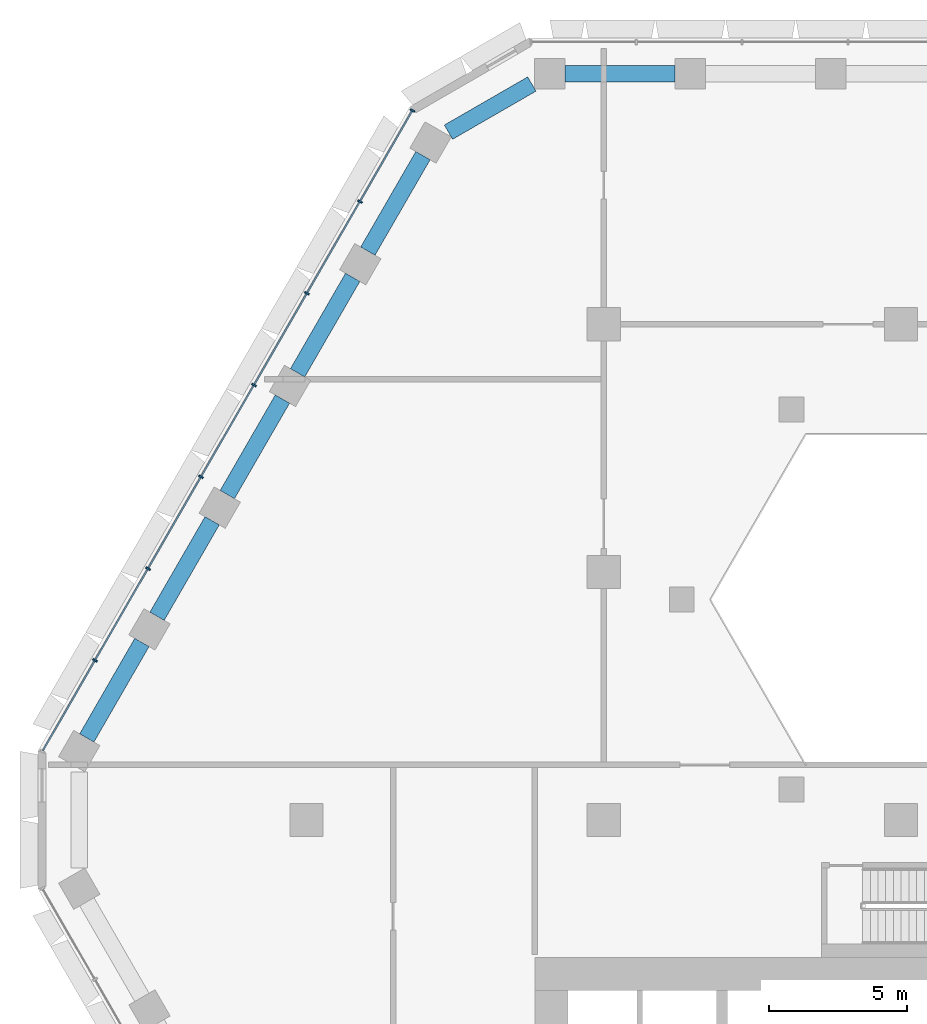
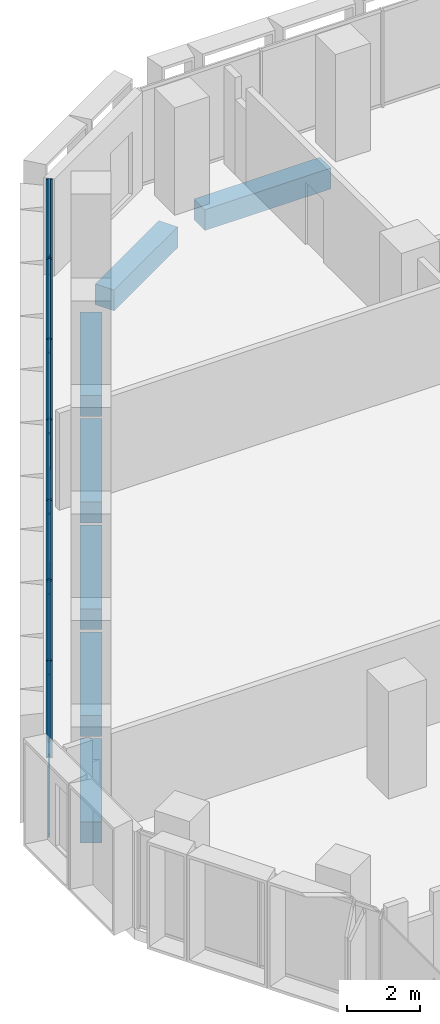
# One storey, part 6 of 22: 21 members, 7 beams, 1 element without a shape of its own.
"""IFC4 building model written with IfcOpenShell, lengths in metres."""

import ifcopenshell
import ifcopenshell.guid

model = None  # the IFC model being written
_history = None  # IfcOwnerHistory: only IFC2X3 demands one
_inside = {}  # id of a spatial element -> (the spatial element, [elements in it])
_under = {}  # id of a project, library or spatial element -> (it, [spatial elements below it])
_declared = {}  # id of a project -> (the project, [libraries it declares])
_typed = {}  # id of a type object -> (the type object, [elements of that type])
_made_of = {}  # id of a material, layer set ... -> (it, [elements and type objects made of it])


def new_model(schema):
    """Start an empty IFC model of exactly this schema.

    Asked for "IFC4X3", IfcOpenShell would pick the latest addendum, in which some entities
    have other attributes; the version numbers below select the first issue.
    IFC2X3 requires an IfcOwnerHistory on every rooted entity: one is made here for all.
    """
    global model, _history
    if schema == "IFC4X3":
        model = ifcopenshell.file(schema_version=(4, 3, 0, 0))
    else:
        model = ifcopenshell.file(schema=schema)
    _inside.clear()
    _under.clear()
    _declared.clear()
    _typed.clear()
    _made_of.clear()
    _history = None
    if model.schema == "IFC2X3":
        org = make("IfcOrganization", Name="unknown")
        user = make(
            "IfcPersonAndOrganization",
            ThePerson=make("IfcPerson", FamilyName="unknown"),
            TheOrganization=org,
        )
        app = make(
            "IfcApplication",
            ApplicationDeveloper=org,
            Version="unknown",
            ApplicationFullName="unknown",
            ApplicationIdentifier="unknown",
        )
        _history = make(
            "IfcOwnerHistory",
            OwningUser=user,
            OwningApplication=app,
            ChangeAction="ADDED",
            CreationDate=0,
        )
    return model


def make(cls, **values):
    """One entity of the class cls with the attributes given. An attribute that is None is left unset."""
    return model.create_entity(
        cls, **{name: value for name, value in values.items() if value is not None}
    )


def rooted(cls, **values):
    """An entity with a GlobalId (a new one), such as an element, a storey or a relation."""
    return make(cls, GlobalId=ifcopenshell.guid.new(), OwnerHistory=_history, **values)


def si_unit(unit_type, name, prefix=None):
    """IfcSIUnit, for example si_unit("LENGTHUNIT", "METRE", prefix="MILLI")."""
    return make("IfcSIUnit", UnitType=unit_type, Prefix=prefix, Name=name)


def assignment(units):
    """IfcUnitAssignment: the units of a project."""
    return None if units is None else make("IfcUnitAssignment", Units=units)


def point(xyz):
    """IfcCartesianPoint."""
    return None if xyz is None else make("IfcCartesianPoint", Coordinates=xyz)


def direction(xyz):
    """IfcDirection."""
    return None if xyz is None else make("IfcDirection", DirectionRatios=xyz)


def frame(location, z_axis=None, x_axis=None):
    """IfcAxis2Placement3D, a coordinate frame: its origin and axes. An axis left out is left unset."""
    return make(
        "IfcAxis2Placement3D",
        Location=point(location),
        Axis=direction(z_axis),
        RefDirection=direction(x_axis),
    )


def frame_2d(location, x_axis=None):
    """IfcAxis2Placement2D, a coordinate frame in the plane: its origin and x axis."""
    return make(
        "IfcAxis2Placement2D", Location=point(location), RefDirection=direction(x_axis)
    )


def origin():
    """The frame at (0, 0, 0) with its axes left unset."""
    return frame((0.0, 0.0, 0.0))


def origin_2d():
    """The frame at (0, 0) in the plane with its x axis left unset."""
    return frame_2d((0.0, 0.0))


def place(relative_to, where):
    """IfcLocalPlacement: puts the frame where relative to a parent placement (None: the world)."""
    return make(
        "IfcLocalPlacement", PlacementRelTo=relative_to, RelativePlacement=where
    )


def context(
    kind, dimensions, precision=None, world=None, true_north=None, identifier=None
):
    """IfcGeometricRepresentationContext, for example the 3D "Model" context."""
    return make(
        "IfcGeometricRepresentationContext",
        ContextIdentifier=identifier,
        ContextType=kind,
        CoordinateSpaceDimension=dimensions,
        Precision=precision,
        WorldCoordinateSystem=world,
        TrueNorth=true_north,
    )


def subcontext(parent, identifier, kind, view, scale=None):
    """IfcGeometricRepresentationSubContext, for example "Body" below "Model"."""
    return make(
        "IfcGeometricRepresentationSubContext",
        ContextIdentifier=identifier,
        ContextType=kind,
        ParentContext=parent,
        TargetScale=scale,
        TargetView=view,
    )


def project(units=None, contexts=None):
    """IfcProject with its units and contexts."""
    return rooted(
        "IfcProject",
        Name="project",
        RepresentationContexts=contexts,
        UnitsInContext=assignment(units),
    )


def spatial(cls, under=None, at=None, **own):
    """A site, building, storey or space (cls), placed at a placement, below another one or the project."""
    s = rooted(cls, ObjectPlacement=at, **own)
    if under is not None:
        _under.setdefault(under.id(), (under, []))[1].append(s)
    return s


def profile(cls, at=None, kind="AREA", **sizes):
    """A parametric profile (cls). Its sizes go by their IFC names, for example OverallWidth=200.0."""
    return make(cls, ProfileType=kind, Position=at, **sizes)


def rectangle(**sizes):
    """IfcRectangleProfileDef."""
    return profile("IfcRectangleProfileDef", **sizes)


def hollow_rectangle(**sizes):
    """IfcRectangleHollowProfileDef."""
    return profile("IfcRectangleHollowProfileDef", **sizes)


def extrude(swept, where, along, depth):
    """IfcExtrudedAreaSolid: the profile swept, set in the frame where, extruded along a direction by depth."""
    return make(
        "IfcExtrudedAreaSolid",
        SweptArea=swept,
        Position=where,
        ExtrudedDirection=direction(along),
        Depth=depth,
    )


def shape(context_of_items, identifier, shape_type, items):
    """IfcShapeRepresentation: the items that make up one representation, for example the "Body"."""
    return make(
        "IfcShapeRepresentation",
        ContextOfItems=context_of_items,
        RepresentationIdentifier=identifier,
        RepresentationType=shape_type,
        Items=items,
    )


def material(Name=None, Category=None):
    """IfcMaterial."""
    return make("IfcMaterial", Name=Name, Category=Category)


def material_profile(
    of_material, cross_section, Name=None, Category=None, Priority=None
):
    """IfcMaterialProfile: a cross section and its material."""
    return make(
        "IfcMaterialProfile",
        Name=Name,
        Material=of_material,
        Profile=cross_section,
        Priority=Priority,
        Category=Category,
    )


def profile_set(profiles, Name=None, composite=None):
    """IfcMaterialProfileSet."""
    return make(
        "IfcMaterialProfileSet",
        Name=Name,
        MaterialProfiles=profiles,
        CompositeProfile=composite,
    )


def made_of(thing, what):
    """Note that an element or type object is made of a material, layer set ...; save() writes the relation."""
    if what is not None:
        _made_of.setdefault(what.id(), (what, []))[1].append(thing)
    return thing


def type_object(cls, material=None, **own):
    """A type object (cls), such as IfcWallType, which elements share."""
    return made_of(rooted(cls, **own), material)


def element(
    cls,
    number,
    at=None,
    inside=None,
    cuts=None,
    type_object=None,
    material=None,
    context=None,
    identifier="Body",
    shape_type=None,
    held_by="IfcProductDefinitionShape",
    body=None,
    shapes=None,
    **own,
):
    """One element of the class cls, such as IfcWall. Its Tag is "e" and its number.

    at: its placement. inside: the storey or other place that contains it. cuts: it is an
    opening in that element (IfcRelVoidsElement). A single representation is given by context,
    identifier, shape_type and body (its items); several are given by shapes. held_by: the class
    of the entity that holds the representations. save() writes the other relations.
    """
    e = rooted(cls, Tag="e%d" % number, ObjectPlacement=at, **own)
    if body is not None:
        shapes = [shape(context, identifier, shape_type, body)]
    if shapes is not None:
        e.Representation = make(held_by, Representations=shapes)
    if inside is not None:
        _inside.setdefault(inside.id(), (inside, []))[1].append(e)
    if cuts is not None:
        rooted(
            "IfcRelVoidsElement", RelatingBuildingElement=cuts, RelatedOpeningElement=e
        )
    if type_object is not None:
        _typed.setdefault(type_object.id(), (type_object, []))[1].append(e)
    return made_of(e, material)


def aggregate(whole, parts):
    """IfcRelAggregates: a whole, such as a stair, and the parts it consists of."""
    return rooted("IfcRelAggregates", RelatingObject=whole, RelatedObjects=parts)


def save(model, path):
    """Write the relations noted so far, then the file.

    IfcRelAggregates (storeys below a building ...), IfcRelContainedInSpatialStructure (elements
    in a storey), IfcRelDefinesByType, IfcRelAssociatesMaterial and IfcRelDeclares: one each for
    every whole, place, type object, material and project.
    """
    for whole, parts in _under.values():
        aggregate(whole, parts)
    for where, things in _inside.values():
        rooted(
            "IfcRelContainedInSpatialStructure",
            RelatedElements=things,
            RelatingStructure=where,
        )
    for kind, things in _typed.values():
        rooted("IfcRelDefinesByType", RelatedObjects=things, RelatingType=kind)
    for what, things in _made_of.values():
        rooted("IfcRelAssociatesMaterial", RelatedObjects=things, RelatingMaterial=what)
    for by, libraries in _declared.values():
        rooted("IfcRelDeclares", RelatingContext=by, RelatedDefinitions=libraries)
    model.write(path)


model = new_model("IFC4")

# Units and contexts
model_context = context("Model", 3, precision=1e-05, world=origin(), true_north=direction((0.0, 1.0)))
body_context = subcontext(model_context, "Body", "Model", "MODEL_VIEW")
ifc_project = project(units=[si_unit("LENGTHUNIT", "METRE"), si_unit("AREAUNIT", "SQUARE_METRE"), si_unit("VOLUMEUNIT", "CUBIC_METRE"), si_unit("PLANEANGLEUNIT", "RADIAN"), si_unit("MASSUNIT", "GRAM", prefix="KILO")], contexts=[model_context])

# Site, building, storey
site_placement = place(None, origin())
site = spatial("IfcSite", under=ifc_project, at=site_placement, CompositionType="ELEMENT")
building_placement = place(site_placement, origin())
building = spatial("IfcBuilding", under=site, at=building_placement, Name="Beryl Residences", CompositionType="ELEMENT")
storey_placement = place(building_placement, frame((0.0, 0.0, 12.60009765625)))
storey = spatial("IfcBuildingStorey", under=building, at=storey_placement, Name="L03", CompositionType="ELEMENT", Elevation=12.60009765625)

# Curtain wall, members
ifc_material_1 = material(Name="Aluminium and clear glass", Category="aluminium")
curtain_wall_type = type_object("IfcCurtainWallType", Name="CW2 amenity glazing glazed wall", PredefinedType="NOTDEFINED", material=ifc_material_1)
curtain_wall_placement = place(storey_placement, origin())
curtain_wall = element("IfcCurtainWall", 1, at=curtain_wall_placement, inside=storey, type_object=curtain_wall_type, Name="CW2 L03 NW", PredefinedType="NOTDEFINED")
ifc_material_2 = material(Name="Aluminium", Category="aluminium")
ifc_material_profile_1 = material_profile(ifc_material_2, rectangle(XDim=0.06005859375, YDim=0.179931640625, at=origin_2d()))
ifc_profile_set_1 = profile_set([ifc_material_profile_1], Name="Aluminium")
member_type_1 = type_object("IfcMemberType", Name="CW2-M mullion 60 x 180 mm", PredefinedType="MULLION", material=ifc_profile_set_1)
member_1_placement = place(storey_placement, frame((-17.7451171875, 25.763916015625, 0.0), z_axis=(0.0, 0.0, 1.0), x_axis=(-0.500011643322, -0.866018681405, 0.0)))
member_1 = element("IfcMember", 2, at=member_1_placement, type_object=member_type_1, Name="CW2 mullion 1", PredefinedType="MULLION", context=body_context, shape_type="SweptSolid", body=[
    extrude(rectangle(XDim=0.06005859375, YDim=0.179931640625, at=origin_2d()), origin(), (0.0, 0.0, 1.0), 3.25),
])
member_2_placement = place(storey_placement, frame((-19.654296875, 22.45703125, 0.0), z_axis=(0.0, 0.0, 1.0), x_axis=(-0.500011643322, -0.866018681405, 0.0)))
member_2 = element("IfcMember", 3, at=member_2_placement, type_object=member_type_1, Name="CW2 mullion 2", PredefinedType="MULLION", context=body_context, shape_type="SweptSolid", body=[
    extrude(rectangle(XDim=0.06005859375, YDim=0.179931640625, at=origin_2d()), origin(), (0.0, 0.0, 1.0), 3.25),
])
member_3_placement = place(storey_placement, frame((-21.57861328125, 19.124267578125, 0.0), z_axis=(0.0, 0.0, 1.0), x_axis=(-0.500011643322, -0.866018681405, 0.0)))
member_3 = element("IfcMember", 4, at=member_3_placement, type_object=member_type_1, Name="CW2 mullion 3", PredefinedType="MULLION", context=body_context, shape_type="SweptSolid", body=[
    extrude(rectangle(XDim=0.06005859375, YDim=0.179931640625, at=origin_2d()), origin(), (0.0, 0.0, 1.0), 3.25),
])
member_4_placement = place(storey_placement, frame((-23.5029296875, 15.79150390625, 0.0), z_axis=(0.0, 0.0, 1.0), x_axis=(-0.500011643322, -0.866018681405, 0.0)))
member_4 = element("IfcMember", 5, at=member_4_placement, type_object=member_type_1, Name="CW2 mullion 4", PredefinedType="MULLION", context=body_context, shape_type="SweptSolid", body=[
    extrude(rectangle(XDim=0.06005859375, YDim=0.179931640625, at=origin_2d()), origin(), (0.0, 0.0, 1.0), 3.25),
])
member_5_placement = place(storey_placement, frame((-25.42724609375, 12.45849609375, 0.0), z_axis=(0.0, 0.0, 1.0), x_axis=(-0.500011643322, -0.866018681405, 0.0)))
member_5 = element("IfcMember", 6, at=member_5_placement, type_object=member_type_1, Name="CW2 mullion 5", PredefinedType="MULLION", context=body_context, shape_type="SweptSolid", body=[
    extrude(rectangle(XDim=0.06005859375, YDim=0.179931640625, at=origin_2d()), origin(), (0.0, 0.0, 1.0), 3.25),
])
member_6_placement = place(storey_placement, frame((-27.351318359375, 9.125732421875, 0.0), z_axis=(0.0, 0.0, 1.0), x_axis=(-0.500011643322, -0.866018681405, 0.0)))
member_6 = element("IfcMember", 7, at=member_6_placement, type_object=member_type_1, Name="CW2 mullion 6", PredefinedType="MULLION", context=body_context, shape_type="SweptSolid", body=[
    extrude(rectangle(XDim=0.06005859375, YDim=0.179931640625, at=origin_2d()), origin(), (0.0, 0.0, 1.0), 3.25),
])
member_7_placement = place(storey_placement, frame((-29.275634765625, 5.79296875, 0.0), z_axis=(0.0, 0.0, 1.0), x_axis=(-0.500011643322, -0.866018681405, 0.0)))
member_7 = element("IfcMember", 8, at=member_7_placement, type_object=member_type_1, Name="CW2 mullion 7", PredefinedType="MULLION", context=body_context, shape_type="SweptSolid", body=[
    extrude(rectangle(XDim=0.06005859375, YDim=0.179931640625, at=origin_2d()), origin(), (0.0, 0.0, 1.0), 3.25),
])
ifc_material_3 = material(Name="Aluminium", Category="aluminium")
ifc_material_profile_2 = material_profile(ifc_material_3, hollow_rectangle(XDim=0.06005859375, YDim=0.1201171875, WallThickness=0.00390625, at=origin_2d()))
ifc_profile_set_2 = profile_set([ifc_material_profile_2], Name="Aluminium")
member_type_2 = type_object("IfcMemberType", Name="CW2-T transom 60 x 120 mm", PredefinedType="USERDEFINED", material=ifc_profile_set_2)
member_8_placement = place(storey_placement, frame((-17.760009765625, 25.738037109375, 0.02978515625), z_axis=(-0.500037327496, -0.866003851672, 0.0), x_axis=(0.866003851672, -0.500037327496, 0.0)))
member_8 = element("IfcMember", 9, at=member_8_placement, type_object=member_type_2, Name="CW2 transom 1.1", ObjectType="TRANSOM", PredefinedType="USERDEFINED", context=body_context, shape_type="SweptSolid", body=[
    extrude(hollow_rectangle(XDim=0.06005859375, YDim=0.1201171875, WallThickness=0.00390625, at=origin_2d()), origin(), (0.0, 0.0, 1.0), 3.758544921875),
])
member_9_placement = place(storey_placement, frame((-17.760009765625, 25.738037109375, 3.219970703125), z_axis=(-0.500037327496, -0.866003851672, 0.0), x_axis=(0.866003851672, -0.500037327496, 0.0)))
member_9 = element("IfcMember", 10, at=member_9_placement, type_object=member_type_2, Name="CW2 transom 1.2", ObjectType="TRANSOM", PredefinedType="USERDEFINED", context=body_context, shape_type="SweptSolid", body=[
    extrude(hollow_rectangle(XDim=0.06005859375, YDim=0.1201171875, WallThickness=0.00390625, at=origin_2d()), origin(), (0.0, 0.0, 1.0), 3.758544921875),
])
member_10_placement = place(storey_placement, frame((-19.669189453125, 22.43115234375, 0.02978515625), z_axis=(-0.499999503755, -0.866025690291, 0.0), x_axis=(0.866025690291, -0.499999503755, 0.0)))
member_10 = element("IfcMember", 11, at=member_10_placement, type_object=member_type_2, Name="CW2 transom 2.1", ObjectType="TRANSOM", PredefinedType="USERDEFINED", context=body_context, shape_type="SweptSolid", body=[
    extrude(hollow_rectangle(XDim=0.06005859375, YDim=0.1201171875, WallThickness=0.00390625, at=origin_2d()), origin(), (0.0, 0.0, 1.0), 3.78857421875),
])
member_11_placement = place(storey_placement, frame((-19.669189453125, 22.43115234375, 3.219970703125), z_axis=(-0.499999503755, -0.866025690291, 0.0), x_axis=(0.866025690291, -0.499999503755, 0.0)))
member_11 = element("IfcMember", 12, at=member_11_placement, type_object=member_type_2, Name="CW2 transom 2.2", ObjectType="TRANSOM", PredefinedType="USERDEFINED", context=body_context, shape_type="SweptSolid", body=[
    extrude(hollow_rectangle(XDim=0.06005859375, YDim=0.1201171875, WallThickness=0.00390625, at=origin_2d()), origin(), (0.0, 0.0, 1.0), 3.78857421875),
])
member_12_placement = place(storey_placement, frame((-21.593505859375, 19.098388671875, 0.02978515625), z_axis=(-0.499999503755, -0.866025690291, 0.0), x_axis=(0.866025690291, -0.499999503755, 0.0)))
member_12 = element("IfcMember", 13, at=member_12_placement, type_object=member_type_2, Name="CW2 transom 3.1", ObjectType="TRANSOM", PredefinedType="USERDEFINED", context=body_context, shape_type="SweptSolid", body=[
    extrude(hollow_rectangle(XDim=0.06005859375, YDim=0.1201171875, WallThickness=0.00390625, at=origin_2d()), origin(), (0.0, 0.0, 1.0), 3.78857421875),
])
member_13_placement = place(storey_placement, frame((-21.593505859375, 19.098388671875, 3.219970703125), z_axis=(-0.499999503755, -0.866025690291, 0.0), x_axis=(0.866025690291, -0.499999503755, 0.0)))
member_13 = element("IfcMember", 14, at=member_13_placement, type_object=member_type_2, Name="CW2 transom 3.2", ObjectType="TRANSOM", PredefinedType="USERDEFINED", context=body_context, shape_type="SweptSolid", body=[
    extrude(hollow_rectangle(XDim=0.06005859375, YDim=0.1201171875, WallThickness=0.00390625, at=origin_2d()), origin(), (0.0, 0.0, 1.0), 3.78857421875),
])
member_14_placement = place(storey_placement, frame((-23.517822265625, 15.765380859375, 0.02978515625), z_axis=(-0.500027408906, -0.866009578667, 0.0), x_axis=(0.866009578667, -0.500027408906, 0.0)))
member_14 = element("IfcMember", 15, at=member_14_placement, type_object=member_type_2, Name="CW2 transom 4.1", ObjectType="TRANSOM", PredefinedType="USERDEFINED", context=body_context, shape_type="SweptSolid", body=[
    extrude(hollow_rectangle(XDim=0.06005859375, YDim=0.1201171875, WallThickness=0.00390625, at=origin_2d()), origin(), (0.0, 0.0, 1.0), 3.788330078125),
])
member_15_placement = place(storey_placement, frame((-23.517822265625, 15.765380859375, 3.219970703125), z_axis=(-0.500027408906, -0.866009578667, 0.0), x_axis=(0.866009578667, -0.500027408906, 0.0)))
member_15 = element("IfcMember", 16, at=member_15_placement, type_object=member_type_2, Name="CW2 transom 4.2", ObjectType="TRANSOM", PredefinedType="USERDEFINED", context=body_context, shape_type="SweptSolid", body=[
    extrude(hollow_rectangle(XDim=0.06005859375, YDim=0.1201171875, WallThickness=0.00390625, at=origin_2d()), origin(), (0.0, 0.0, 1.0), 3.788330078125),
])
member_16_placement = place(storey_placement, frame((-25.442138671875, 12.4326171875, 0.02978515625), z_axis=(-0.499999503755, -0.866025690291, 0.0), x_axis=(0.866025690291, -0.499999503755, 0.0)))
member_16 = element("IfcMember", 17, at=member_16_placement, type_object=member_type_2, Name="CW2 transom 5.1", ObjectType="TRANSOM", PredefinedType="USERDEFINED", context=body_context, shape_type="SweptSolid", body=[
    extrude(hollow_rectangle(XDim=0.06005859375, YDim=0.1201171875, WallThickness=0.00390625, at=origin_2d()), origin(), (0.0, 0.0, 1.0), 3.78857421875),
])
member_17_placement = place(storey_placement, frame((-25.442138671875, 12.4326171875, 3.219970703125), z_axis=(-0.499999503755, -0.866025690291, 0.0), x_axis=(0.866025690291, -0.499999503755, 0.0)))
member_17 = element("IfcMember", 18, at=member_17_placement, type_object=member_type_2, Name="CW2 transom 5.2", ObjectType="TRANSOM", PredefinedType="USERDEFINED", context=body_context, shape_type="SweptSolid", body=[
    extrude(hollow_rectangle(XDim=0.06005859375, YDim=0.1201171875, WallThickness=0.00390625, at=origin_2d()), origin(), (0.0, 0.0, 1.0), 3.78857421875),
])
member_18_placement = place(storey_placement, frame((-27.366455078125, 9.099853515625, 0.02978515625), z_axis=(-0.499999503755, -0.866025690291, 0.0), x_axis=(0.866025690291, -0.499999503755, 0.0)))
member_18 = element("IfcMember", 19, at=member_18_placement, type_object=member_type_2, Name="CW2 transom 6.1", ObjectType="TRANSOM", PredefinedType="USERDEFINED", context=body_context, shape_type="SweptSolid", body=[
    extrude(hollow_rectangle(XDim=0.06005859375, YDim=0.1201171875, WallThickness=0.00390625, at=origin_2d()), origin(), (0.0, 0.0, 1.0), 3.78857421875),
])
member_19_placement = place(storey_placement, frame((-27.366455078125, 9.099853515625, 3.219970703125), z_axis=(-0.499999503755, -0.866025690291, 0.0), x_axis=(0.866025690291, -0.499999503755, 0.0)))
member_19 = element("IfcMember", 20, at=member_19_placement, type_object=member_type_2, Name="CW2 transom 6.2", ObjectType="TRANSOM", PredefinedType="USERDEFINED", context=body_context, shape_type="SweptSolid", body=[
    extrude(hollow_rectangle(XDim=0.06005859375, YDim=0.1201171875, WallThickness=0.00390625, at=origin_2d()), origin(), (0.0, 0.0, 1.0), 3.78857421875),
])
member_20_placement = place(storey_placement, frame((-29.290771484375, 5.766845703125, 0.02978515625), z_axis=(-0.499988609959, -0.866031979728, 0.0), x_axis=(0.866031979728, -0.499988609959, 0.0)))
member_20 = element("IfcMember", 21, at=member_20_placement, type_object=member_type_2, Name="CW2 transom 7.1", ObjectType="TRANSOM", PredefinedType="USERDEFINED", context=body_context, shape_type="SweptSolid", body=[
    extrude(hollow_rectangle(XDim=0.06005859375, YDim=0.1201171875, WallThickness=0.00390625, at=origin_2d()), origin(), (0.0, 0.0, 1.0), 3.75830078125),
])
member_21_placement = place(storey_placement, frame((-29.290771484375, 5.766845703125, 3.219970703125), z_axis=(-0.499988609959, -0.866031979728, 0.0), x_axis=(0.866031979728, -0.499988609959, 0.0)))
member_21 = element("IfcMember", 22, at=member_21_placement, type_object=member_type_2, Name="CW2 transom 7.2", ObjectType="TRANSOM", PredefinedType="USERDEFINED", context=body_context, shape_type="SweptSolid", body=[
    extrude(hollow_rectangle(XDim=0.06005859375, YDim=0.1201171875, WallThickness=0.00390625, at=origin_2d()), origin(), (0.0, 0.0, 1.0), 3.75830078125),
])
aggregate(curtain_wall, [member_1, member_2, member_3, member_4, member_5, member_6, member_7, member_8, member_9, member_10, member_11, member_12, member_13, member_14, member_15, member_16, member_17, member_18, member_19, member_20, member_21])

# Beams
ifc_material_4 = material(Name="Concrete C80/95", Category="concrete")
ifc_material_profile_3 = material_profile(ifc_material_4, rectangle(XDim=0.60009765625, YDim=0.699951171875, at=origin_2d()))
ifc_profile_set_3 = profile_set([ifc_material_profile_3], Name="Concrete C80/95")
beam_type = type_object("IfcBeamType", Name="SB1 spandrel beam 600 x 700 C80/95", PredefinedType="SPANDREL", material=ifc_profile_set_3)
beam_1_placement = place(storey_placement, frame((-8.20703125, 27.10009765625, -0.7001953125), z_axis=(-1.0, 0.0, 0.0), x_axis=(0.0, -1.0, 0.0)))
element("IfcBeam", 23, at=beam_1_placement, inside=storey, type_object=beam_type, Name="SB1 L03 N-4", PredefinedType="SPANDREL", context=body_context, shape_type="SweptSolid", body=[
    extrude(rectangle(XDim=0.60009765625, YDim=0.699951171875, at=origin_2d()), origin(), (0.0, 0.0, 1.0), 4.00390625),
])
beam_2_placement = place(storey_placement, frame((-13.410888671875, 26.72412109375, -0.7001953125), z_axis=(-0.866121658299, -0.499833245218, 0.0), x_axis=(0.499833245218, -0.866121658299, 0.0)))
element("IfcBeam", 24, at=beam_2_placement, inside=storey, type_object=beam_type, Name="SB1 L03 N-5", PredefinedType="SPANDREL", context=body_context, shape_type="SweptSolid", body=[
    extrude(rectangle(XDim=0.60009765625, YDim=0.699951171875, at=origin_2d()), origin(), (0.0, 0.0, 1.0), 3.497314453125),
])
beam_3_placement = place(storey_placement, frame((-17.364990234375, 24.1240234375, -0.7001953125), z_axis=(-0.499942357345, -0.866058681229, 0.0), x_axis=(0.866058681229, -0.499942357345, 0.0)))
element("IfcBeam", 25, at=beam_3_placement, inside=storey, type_object=beam_type, Name="SB1 L03 NW-0", PredefinedType="SPANDREL", context=body_context, shape_type="SweptSolid", body=[
    extrude(rectangle(XDim=0.60009765625, YDim=0.699951171875, at=origin_2d()), origin(), (0.0, 0.0, 1.0), 4.00439453125),
])
beam_4_placement = place(storey_placement, frame((-19.9169921875, 19.7041015625, -0.7001953125), z_axis=(-0.499836783367, -0.866119616446, 0.0), x_axis=(0.866119616446, -0.499836783367, 0.0)))
element("IfcBeam", 26, at=beam_4_placement, inside=storey, type_object=beam_type, Name="SB1 L03 NW-1", PredefinedType="SPANDREL", context=body_context, shape_type="SweptSolid", body=[
    extrude(rectangle(XDim=0.60009765625, YDim=0.699951171875, at=origin_2d()), origin(), (0.0, 0.0, 1.0), 4.005126953125),
])
for number, where, z_axis, x_axis, name in (
    (27, (-22.468994140625, 15.282958984375, -0.7001953125), (-0.499942357345, -0.866058681229, 0.0), (0.866058681229, -0.499942357345, 0.0), "SB1 L03 NW-2"),
    (28, (-25.02099609375, 10.863037109375, -0.7001953125), (-0.499942357345, -0.866058681229, 0.0), (0.866058681229, -0.499942357345, 0.0), "SB1 L03 NW-3"),
):
    element("IfcBeam", number, at=place(storey_placement, frame(where, z_axis=z_axis, x_axis=x_axis)), inside=storey, type_object=beam_type, Name=name, PredefinedType="SPANDREL", context=body_context, shape_type="SweptSolid", body=[
        extrude(rectangle(XDim=0.60009765625, YDim=0.699951171875, at=origin_2d()), origin(), (0.0, 0.0, 1.0), 4.00439453125),
    ])
beam_5_placement = place(storey_placement, frame((-27.572998046875, 6.443115234375, -0.7001953125), z_axis=(-0.499759404093, -0.866164267342, 0.0), x_axis=(0.866164267342, -0.499759404093, 0.0)))
element("IfcBeam", 29, at=beam_5_placement, inside=storey, type_object=beam_type, Name="SB1 L03 NW-4", PredefinedType="SPANDREL", context=body_context, shape_type="SweptSolid", body=[
    extrude(rectangle(XDim=0.60009765625, YDim=0.699951171875, at=origin_2d()), origin(), (0.0, 0.0, 1.0), 4.00390625),
])

save(model, "model.ifc")
